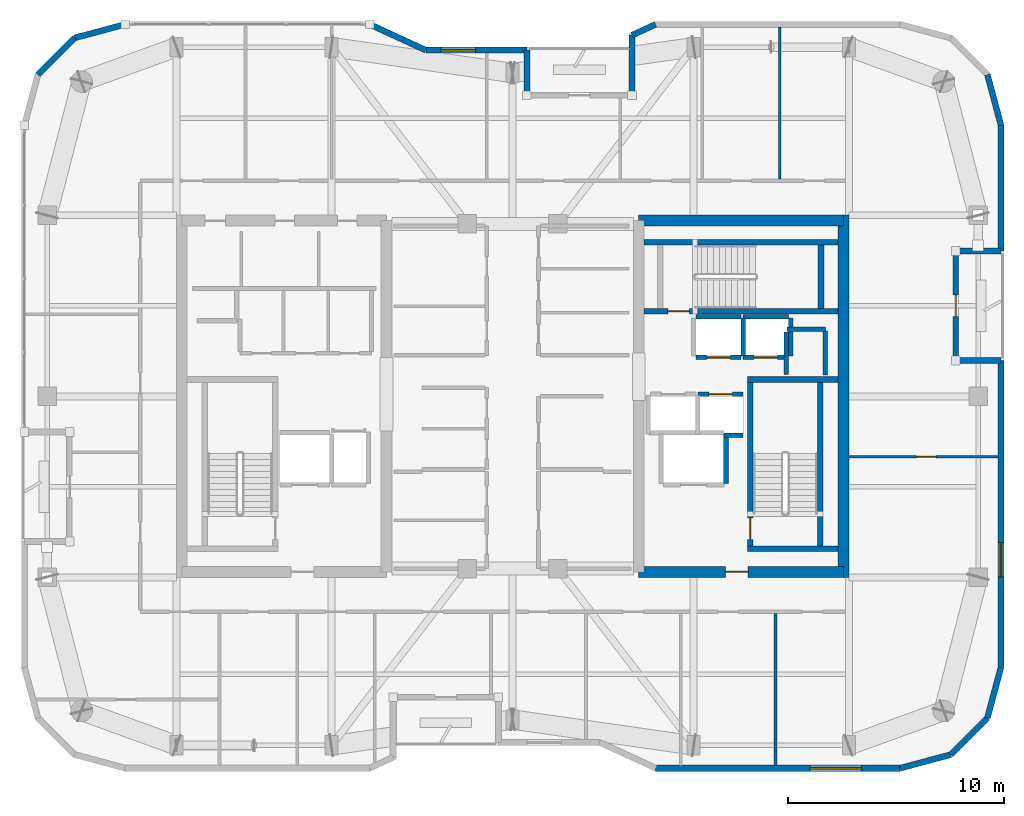
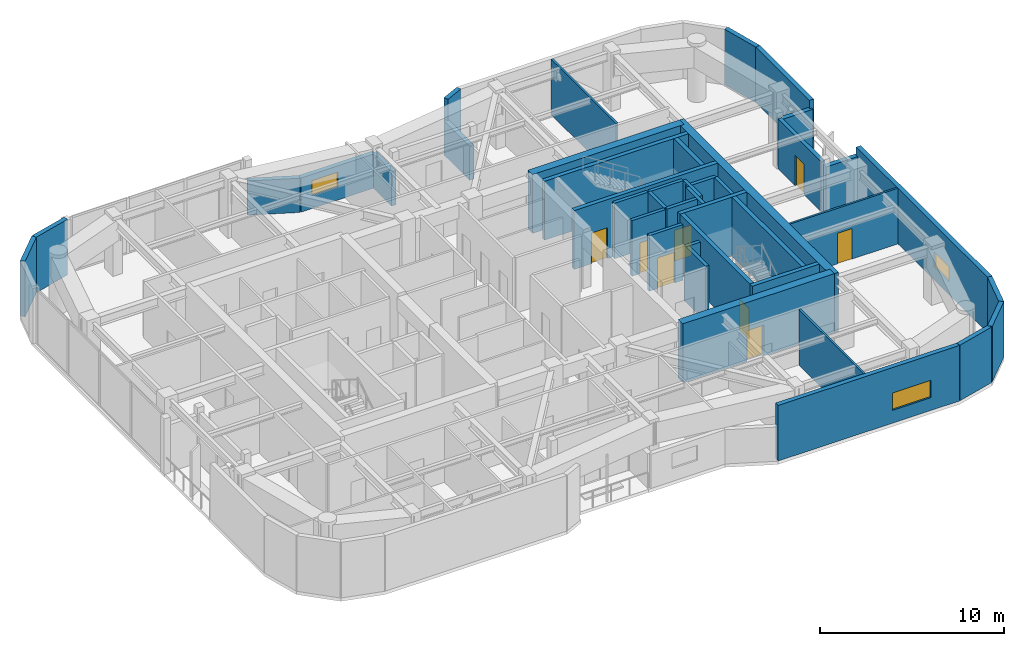
# One storey, part 13 of 16: 42 walls, 8 doors, 3 windows, 11 openings.
"""IFC4 building model written with IfcOpenShell, lengths in metres."""

from ifc_helpers import new_model, si_unit, direction, frame, frame_2d, origin, place, context, subcontext, project, spatial, rectangle, extrude, material, layer, layer_set, type_object, element, fill, save


model = new_model("IFC4")

# Units and contexts
model_context = context("Model", 3, precision=1e-05, world=origin(), true_north=direction((0.0, 1.0)))
body_context = subcontext(model_context, "Body", "Model", "MODEL_VIEW")
ifc_project = project(units=[si_unit("LENGTHUNIT", "METRE"), si_unit("AREAUNIT", "SQUARE_METRE"), si_unit("VOLUMEUNIT", "CUBIC_METRE"), si_unit("PLANEANGLEUNIT", "RADIAN"), si_unit("MASSUNIT", "GRAM", prefix="KILO")], contexts=[model_context])

# Site, building, storey
site_placement = place(None, origin())
site = spatial("IfcSite", under=ifc_project, at=site_placement, CompositionType="ELEMENT")
building_placement = place(site_placement, origin())
building = spatial("IfcBuilding", under=site, at=building_placement, Name="Kiyonajd Concourse Tower", CompositionType="ELEMENT")
storey_placement = place(building_placement, frame((0.0, 0.0, 302.39990234375)))
storey = spatial("IfcBuildingStorey", under=building, at=storey_placement, Name="L76", CompositionType="ELEMENT", Elevation=302.39990234375)

# Wall
ifc_material_1 = material(Name="Concrete C60/75", Category="concrete")
ifc_layer_1 = layer(ifc_material_1, 0.5)
ifc_layer_set_1 = layer_set([ifc_layer_1], Name="Concrete C60/75")
wall_type_1 = type_object("IfcWallType", Name="WL-CORE-500", PredefinedType="SHEAR", material=ifc_layer_set_1)
wall_1_placement = place(storey_placement, frame((63.35009765625, 27.60009765625, 0.0), z_axis=(0.0, 0.0, 1.0), x_axis=(0.0, 1.0, 0.0)))
element("IfcWall", 1, at=wall_1_placement, inside=storey, type_object=wall_type_1, Name="L76 East Core Outer Shear Wall", PredefinedType="SHEAR", context=body_context, shape_type="SweptSolid", body=[
    extrude(rectangle(XDim=16.7998046875, YDim=0.5, at=frame_2d((8.39990234375, 0.0))), origin(), (0.0, 0.0, 1.0), 3.900146484375),
])

# Wall, opening, door
wall_2_placement = place(storey_placement, frame((53.85009765625, 27.85009765625, 0.0), z_axis=(0.0, 0.0, 1.0), x_axis=(1.0, 0.0, 0.0)))
wall_2 = element("IfcWall", 2, at=wall_2_placement, inside=storey, type_object=wall_type_1, Name="L76 East Core South Shear Wall", PredefinedType="SHEAR", context=body_context, shape_type="SweptSolid", body=[
    extrude(rectangle(XDim=9.5, YDim=0.5, at=frame_2d((4.75, 0.0))), origin(), (0.0, 0.0, 1.0), 3.900146484375),
])
opening_1_placement = place(wall_2_placement, frame((4.02490234375, 0.0, 0.0)))
opening_1 = element("IfcOpeningElement", 3, at=opening_1_placement, cuts=wall_2, Name="Opening DF5", PredefinedType="OPENING", context=body_context, shape_type="SweptSolid", body=[
    extrude(rectangle(XDim=1.050048828125, YDim=2.0400390625, at=frame_2d((0.52490234375, 1.02001953125))), frame((0.0, 0.260009765625, 0.0), z_axis=(0.0, -1.0, 0.0), x_axis=(1.0, 0.0, 0.0)), (0.0, 0.0, 1.0), 0.52001953125),
])
ifc_material_2 = material(Name="Brushed Stainless Steel Cab Assembly", Category="steel")
door_type_1 = type_object("IfcDoorType", Name="DR-FD45-1050", OperationType="NOTDEFINED", PredefinedType="DOOR", material=ifc_material_2)
door_1_placement = place(opening_1_placement, origin())
door_1 = element("IfcDoor", 4, at=door_1_placement, inside=storey, type_object=door_type_1, Name="L76 Firefighting Lift Lobby E Smoke Door", OperationType="SINGLE_SWING_RIGHT", OverallHeight=2.0400390625, OverallWidth=1.050048828125, PredefinedType="DOOR", context=body_context, shape_type="SweptSolid", body=[
    extrude(rectangle(XDim=1.050048828125, YDim=2.0400390625, at=frame_2d((0.52490234375, 1.02001953125))), frame((0.0, 0.02490234375, 0.0), z_axis=(0.0, -1.0, 0.0), x_axis=(1.0, 0.0, 0.0)), (0.0, 0.0, 1.0), 0.050048828125),
])
fill(opening_1, door_1)

# Walls
wall_3_placement = place(storey_placement, frame((53.85009765625, 44.14990234375, 0.0), z_axis=(0.0, 0.0, 1.0), x_axis=(1.0, 0.0, 0.0)))
element("IfcWall", 5, at=wall_3_placement, inside=storey, type_object=wall_type_1, Name="L76 East Core North Shear Wall", PredefinedType="SHEAR", context=body_context, shape_type="SweptSolid", body=[
    extrude(rectangle(XDim=9.5, YDim=0.5, at=frame_2d((4.75, 0.0))), origin(), (0.0, 0.0, 1.0), 3.900146484375),
])
ifc_material_3 = material(Name="Precast concrete C50/60", Category="concrete")
ifc_layer_2 = layer(ifc_material_3, 0.280029296875)
ifc_layer_set_2 = layer_set([ifc_layer_2], Name="Precast concrete C50/60")
wall_type_2 = type_object("IfcWallType", Name="WL-EXT-280", PredefinedType="SOLIDWALL", material=ifc_layer_set_2)
wall_4_placement = place(storey_placement, frame((25.968505859375, 50.927490234375, 0.0), z_axis=(0.0, 0.0, 1.0), x_axis=(0.707106781187, 0.707106781187, 0.0)))
element("IfcWall", 6, at=wall_4_placement, inside=storey, type_object=wall_type_2, Name="L76 Exterior Concrete Frame Wall 07", PredefinedType="SOLIDWALL", context=body_context, shape_type="SweptSolid", body=[
    extrude(rectangle(XDim=2.409912109375, YDim=0.280029296875, at=frame_2d((1.205078125, 0.0))), origin(), (0.0, 0.0, 1.0), 3.68017578125),
])
wall_5_placement = place(storey_placement, frame((27.672607421875, 52.631591796875, 0.0), z_axis=(0.0, 0.0, 1.0), x_axis=(0.965937282298, 0.25877628691, 0.0)))
element("IfcWall", 7, at=wall_5_placement, inside=storey, type_object=wall_type_2, Name="L76 Exterior Concrete Frame Wall 08", PredefinedType="SOLIDWALL", context=body_context, shape_type="SweptSolid", body=[
    extrude(rectangle(XDim=2.428466796875, YDim=0.280029296875, at=frame_2d((1.21435546875, 0.0))), origin(), (0.0, 0.0, 1.0), 3.68017578125),
])
wall_6_placement = place(storey_placement, frame((41.369384765625, 53.260009765625, 0.0), z_axis=(0.0, 0.0, 1.0), x_axis=(0.907956889006, -0.419063584324, 0.0)))
element("IfcWall", 8, at=wall_6_placement, inside=storey, type_object=wall_type_2, Name="L76 Exterior Concrete Frame Wall 10", PredefinedType="SOLIDWALL", context=body_context, shape_type="SweptSolid", body=[
    extrude(rectangle(XDim=2.863525390625, YDim=0.280029296875, at=frame_2d((1.431640625, 0.0))), origin(), (0.0, 0.0, 1.0), 2.26513671875),
])

# Wall, opening, window
wall_7_placement = place(storey_placement, frame((43.96923828125, 52.06005859375, 0.0), z_axis=(0.0, 0.0, 1.0), x_axis=(1.0, 0.0, 0.0)))
wall_7 = element("IfcWall", 9, at=wall_7_placement, inside=storey, type_object=wall_type_2, Name="L76 Exterior Concrete Frame Wall 11", PredefinedType="SOLIDWALL", context=body_context, shape_type="SweptSolid", body=[
    extrude(rectangle(XDim=4.690673828125, YDim=0.280029296875, at=frame_2d((2.34521484375, 0.0))), origin(), (0.0, 0.0, 1.0), 2.26513671875),
])
opening_2_placement = place(wall_7_placement, frame((0.7099609375, 0.0, 0.85009765625)))
opening_2 = element("IfcOpeningElement", 10, at=opening_2_placement, cuts=wall_7, Name="Opening WN6", PredefinedType="OPENING", context=body_context, shape_type="SweptSolid", body=[
    extrude(rectangle(XDim=1.60009765625, YDim=1.0, at=frame_2d((0.800048828125, 0.5))), frame((0.0, 0.14990234375, 0.0), z_axis=(0.0, -1.0, 0.0), x_axis=(1.0, 0.0, 0.0)), (0.0, 0.0, 1.0), 0.300048828125),
])
ifc_material_4 = material(Name="Double Low-E Insulated Glass", Category="glass")
window_type_1 = type_object("IfcWindowType", Name="WN-VIS-1600x1000", PartitioningType="SINGLE_PANEL", PredefinedType="WINDOW", material=ifc_material_4)
window_1_placement = place(opening_2_placement, origin())
window_1 = element("IfcWindow", 11, at=window_1_placement, inside=storey, type_object=window_type_1, Name="L76 Modular Facade Vision Window 11", OverallHeight=1.0, OverallWidth=1.60009765625, PartitioningType="SINGLE_PANEL", PredefinedType="WINDOW", context=body_context, shape_type="SweptSolid", body=[
    extrude(rectangle(XDim=1.60009765625, YDim=1.0, at=frame_2d((0.800048828125, 0.5))), frame((0.0, 0.030029296875, 0.0), z_axis=(0.0, -1.0, 0.0), x_axis=(1.0, 0.0, 0.0)), (0.0, 0.0, 1.0), 0.06005859375),
])
fill(opening_2, window_1)

# Walls
wall_8_placement = place(storey_placement, frame((48.659912109375, 52.06005859375, 0.0), z_axis=(0.0, 0.0, 1.0), x_axis=(0.0, -1.0, 0.0)))
element("IfcWall", 12, at=wall_8_placement, inside=storey, type_object=wall_type_2, Name="L76 Exterior Concrete Frame Wall 12", PredefinedType="SOLIDWALL", context=body_context, shape_type="SweptSolid", body=[
    extrude(rectangle(XDim=2.10009765625, YDim=0.280029296875, at=frame_2d((1.050048828125, 0.0))), origin(), (0.0, 0.0, 1.0), 2.26513671875),
])
wall_9_placement = place(storey_placement, frame((53.5400390625, 49.9599609375, 0.0), z_axis=(0.0, 0.0, 1.0), x_axis=(0.0, 1.0, 0.0)))
element("IfcWall", 13, at=wall_9_placement, inside=storey, type_object=wall_type_2, Name="L76 Exterior Concrete Frame Wall 14", PredefinedType="SOLIDWALL", context=body_context, shape_type="SweptSolid", body=[
    extrude(rectangle(XDim=2.79638671875, YDim=0.280029296875, at=frame_2d((1.398193359375, 0.0))), origin(), (0.0, 0.0, 1.0), 2.26513671875),
])
wall_10_placement = place(storey_placement, frame((53.5400390625, 52.75634765625, 0.0), z_axis=(0.0, 0.0, 1.0), x_axis=(0.907893953211, 0.419199916176, 0.0)))
element("IfcWall", 14, at=wall_10_placement, inside=storey, type_object=wall_type_2, Name="L76 Exterior Concrete Frame Wall 15", PredefinedType="SOLIDWALL", context=body_context, shape_type="SweptSolid", body=[
    extrude(rectangle(XDim=1.201416015625, YDim=0.280029296875, at=frame_2d((0.6005859375, 0.0))), origin(), (0.0, 0.0, 1.0), 3.68017578125),
])
wall_11_placement = place(storey_placement, frame((70.031494140625, 50.927490234375, 0.0), z_axis=(0.0, 0.0, 1.0), x_axis=(0.258751159445, -0.965944013639, 0.0)))
element("IfcWall", 15, at=wall_11_placement, inside=storey, type_object=wall_type_2, Name="L76 Exterior Concrete Frame Wall 19", PredefinedType="SOLIDWALL", context=body_context, shape_type="SweptSolid", body=[
    extrude(rectangle(XDim=2.4287109375, YDim=0.280029296875, at=frame_2d((1.21435546875, 0.0))), origin(), (0.0, 0.0, 1.0), 3.68017578125),
])
wall_12_placement = place(storey_placement, frame((70.659912109375, 48.58154296875, 0.0), z_axis=(0.0, 0.0, 1.0), x_axis=(0.0, -1.0, 0.0)))
element("IfcWall", 16, at=wall_12_placement, inside=storey, type_object=wall_type_2, Name="L76 Exterior Concrete Frame Wall 20", PredefinedType="SOLIDWALL", context=body_context, shape_type="SweptSolid", body=[
    extrude(rectangle(XDim=5.841552734375, YDim=0.280029296875, at=frame_2d((2.9208984375, 0.0))), origin(), (0.0, 0.0, 1.0), 3.68017578125),
])
for number, where, z_axis, x_axis, name in (
    (17, (70.659912109375, 42.739990234375, 0.0), (0.0, 0.0, 1.0), (-1.0, 0.0, 0.0), "L76 Exterior Concrete Frame Wall 21"),
    (18, (68.56005859375, 37.659912109375, 0.0), (0.0, 0.0, 1.0), (1.0, 0.0, 0.0), "L76 Exterior Concrete Frame Wall 23"),
):
    element("IfcWall", number, at=place(storey_placement, frame(where, z_axis=z_axis, x_axis=x_axis)), inside=storey, type_object=wall_type_2, Name=name, PredefinedType="SOLIDWALL", context=body_context, shape_type="SweptSolid", body=[
        extrude(rectangle(XDim=2.099853515625, YDim=0.280029296875, at=frame_2d((1.0498046875, 0.0))), origin(), (0.0, 0.0, 1.0), 3.1259765625),
    ])

# Wall, opening, window
wall_13_placement = place(storey_placement, frame((70.659912109375, 37.659912109375, 0.0), z_axis=(0.0, 0.0, 1.0), x_axis=(0.0, -1.0, 0.0)))
wall_13 = element("IfcWall", 19, at=wall_13_placement, inside=storey, type_object=wall_type_2, Name="L76 Exterior Concrete Frame Wall 24", PredefinedType="SOLIDWALL", context=body_context, shape_type="SweptSolid", body=[
    extrude(rectangle(XDim=14.241455078125, YDim=0.280029296875, at=frame_2d((7.12060546875, 0.0))), origin(), (0.0, 0.0, 1.0), 3.68017578125),
])
opening_3_placement = place(wall_13_placement, frame((8.4560546875, 0.0, 0.85009765625)))
opening_3 = element("IfcOpeningElement", 20, at=opening_3_placement, cuts=wall_13, Name="Opening WN6", PredefinedType="OPENING", context=body_context, shape_type="SweptSolid", body=[
    extrude(rectangle(XDim=1.60009765625, YDim=1.0, at=frame_2d((0.800048828125, 0.5))), frame((0.0, 0.14990234375, 0.0), z_axis=(0.0, -1.0, 0.0), x_axis=(1.0, 0.0, 0.0)), (0.0, 0.0, 1.0), 0.300048828125),
])
window_2_placement = place(opening_3_placement, origin())
window_2 = element("IfcWindow", 21, at=window_2_placement, inside=storey, type_object=window_type_1, Name="L76 Modular Facade Vision Window 24", OverallHeight=1.0, OverallWidth=1.60009765625, PartitioningType="SINGLE_PANEL", PredefinedType="WINDOW", context=body_context, shape_type="SweptSolid", body=[
    extrude(rectangle(XDim=1.60009765625, YDim=1.0, at=frame_2d((0.800048828125, 0.5))), frame((0.0, 0.030029296875, 0.0), z_axis=(0.0, -1.0, 0.0), x_axis=(1.0, 0.0, 0.0)), (0.0, 0.0, 1.0), 0.06005859375),
])
fill(opening_3, window_2)

# Walls
wall_14_placement = place(storey_placement, frame((70.659912109375, 23.41845703125, 0.0), z_axis=(0.0, 0.0, 1.0), x_axis=(-0.258751159445, -0.965944013639, 0.0)))
element("IfcWall", 22, at=wall_14_placement, inside=storey, type_object=wall_type_2, Name="L76 Exterior Concrete Frame Wall 25", PredefinedType="SOLIDWALL", context=body_context, shape_type="SweptSolid", body=[
    extrude(rectangle(XDim=2.4287109375, YDim=0.280029296875, at=frame_2d((1.21435546875, 0.0))), origin(), (0.0, 0.0, 1.0), 3.68017578125),
])
wall_15_placement = place(storey_placement, frame((70.031494140625, 21.072509765625, 0.0), z_axis=(0.0, 0.0, 1.0), x_axis=(-0.707106781187, -0.707106781187, 0.0)))
element("IfcWall", 23, at=wall_15_placement, inside=storey, type_object=wall_type_2, Name="L76 Exterior Concrete Frame Wall 26", PredefinedType="SOLIDWALL", context=body_context, shape_type="SweptSolid", body=[
    extrude(rectangle(XDim=2.409912109375, YDim=0.280029296875, at=frame_2d((1.205078125, 0.0))), origin(), (0.0, 0.0, 1.0), 3.68017578125),
])
wall_16_placement = place(storey_placement, frame((68.327392578125, 19.368408203125, 0.0), z_axis=(0.0, 0.0, 1.0), x_axis=(-0.965937282298, -0.25877628691, 0.0)))
element("IfcWall", 24, at=wall_16_placement, inside=storey, type_object=wall_type_2, Name="L76 Exterior Concrete Frame Wall 27", PredefinedType="SOLIDWALL", context=body_context, shape_type="SweptSolid", body=[
    extrude(rectangle(XDim=2.428466796875, YDim=0.280029296875, at=frame_2d((1.21435546875, 0.0))), origin(), (0.0, 0.0, 1.0), 3.68017578125),
])

# Wall, opening, window
wall_17_placement = place(storey_placement, frame((65.981689453125, 18.739990234375, 0.0), z_axis=(0.0, 0.0, 1.0), x_axis=(-1.0, 0.0, 0.0)))
wall_17 = element("IfcWall", 25, at=wall_17_placement, inside=storey, type_object=wall_type_2, Name="L76 Exterior Concrete Frame Wall 28", PredefinedType="SOLIDWALL", context=body_context, shape_type="SweptSolid", body=[
    extrude(rectangle(XDim=11.35107421875, YDim=0.280029296875, at=frame_2d((5.675537109375, 0.0))), origin(), (0.0, 0.0, 1.0), 3.68017578125),
])
opening_4_placement = place(wall_17_placement, frame((1.785888671875, 0.0, 0.85009765625)))
opening_4 = element("IfcOpeningElement", 26, at=opening_4_placement, cuts=wall_17, Name="Opening WN4", PredefinedType="OPENING", context=body_context, shape_type="SweptSolid", body=[
    extrude(rectangle(XDim=2.39990234375, YDim=1.14990234375, at=frame_2d((1.199951171875, 0.574951171875))), frame((0.0, 0.14990234375, 0.0), z_axis=(0.0, -1.0, 0.0), x_axis=(1.0, 0.0, 0.0)), (0.0, 0.0, 1.0), 0.300048828125),
])
window_type_2 = type_object("IfcWindowType", Name="WN-VIS-2400x1150", PartitioningType="SINGLE_PANEL", PredefinedType="WINDOW", material=ifc_material_4)
window_3_placement = place(opening_4_placement, origin())
window_3 = element("IfcWindow", 27, at=window_3_placement, inside=storey, type_object=window_type_2, Name="L76 Modular Facade Vision Window 28", OverallHeight=1.14990234375, OverallWidth=2.39990234375, PartitioningType="SINGLE_PANEL", PredefinedType="WINDOW", context=body_context, shape_type="SweptSolid", body=[
    extrude(rectangle(XDim=2.39990234375, YDim=1.14990234375, at=frame_2d((1.199951171875, 0.574951171875))), frame((0.0, 0.030029296875, 0.0), z_axis=(0.0, -1.0, 0.0), x_axis=(1.0, 0.0, 0.0)), (0.0, 0.0, 1.0), 0.06005859375),
])
fill(opening_4, window_3)

# Wall, opening, door
ifc_layer_3 = layer(ifc_material_3, 0.239990234375)
ifc_layer_set_3 = layer_set([ifc_layer_3], Name="Precast concrete C50/60")
wall_type_3 = type_object("IfcWallType", Name="WL-LOG-240", PredefinedType="SOLIDWALL", material=ifc_layer_set_3)
wall_18_placement = place(storey_placement, frame((68.56005859375, 42.544921875, 0.0), z_axis=(0.0, 0.0, 1.0), x_axis=(0.0, -1.0, 0.0)))
wall_18 = element("IfcWall", 28, at=wall_18_placement, inside=storey, type_object=wall_type_3, Name="L76 Recessed Loggia Thermal Wall LOG-E", PredefinedType="SOLIDWALL", context=body_context, shape_type="SweptSolid", body=[
    extrude(rectangle(XDim=4.68994140625, YDim=0.239990234375, at=frame_2d((2.344970703125, 0.0))), origin(), (0.0, 0.0, 1.0), 3.31103515625),
])
opening_5_placement = place(wall_18_placement, frame((1.844970703125, 0.0, 0.0)))
opening_5 = element("IfcOpeningElement", 29, at=opening_5_placement, cuts=wall_18, Name="Opening DL1", PredefinedType="OPENING", context=body_context, shape_type="SweptSolid", body=[
    extrude(rectangle(XDim=1.0, YDim=2.02001953125, at=frame_2d((0.5, 1.010009765625))), frame((0.0, 0.1298828125, 0.0), z_axis=(0.0, -1.0, 0.0), x_axis=(1.0, 0.0, 0.0)), (0.0, 0.0, 1.0), 0.260009765625),
])
ifc_material_5 = material(Name="Thermally Broken Anodised Aluminium", Category="aluminium")
door_type_2 = type_object("IfcDoorType", Name="DR-LOG-1000", OperationType="NOTDEFINED", PredefinedType="DOOR", material=ifc_material_5)
door_2_placement = place(opening_5_placement, origin())
door_2 = element("IfcDoor", 30, at=door_2_placement, inside=storey, type_object=door_type_2, Name="L76 Engawa Loggia Access Door LOG-E", OperationType="SINGLE_SWING_LEFT", OverallHeight=2.02001953125, OverallWidth=1.0, PredefinedType="DOOR", context=body_context, shape_type="SweptSolid", body=[
    extrude(rectangle(XDim=1.0, YDim=2.02001953125, at=frame_2d((0.5, 1.010009765625))), frame((0.0, 0.02490234375, 0.0), z_axis=(0.0, -1.0, 0.0), x_axis=(1.0, 0.0, 0.0)), (0.0, 0.0, 1.0), 0.050048828125),
])
fill(opening_5, door_2)

# Walls
ifc_material_6 = material(Name="Gypsum Board on Cold-Formed Steel Stud", Category="steel")
ifc_layer_4 = layer(ifc_material_6, 0.125)
ifc_layer_set_4 = layer_set([ifc_layer_4], Name="Gypsum Board on Cold-Formed Steel Stud")
wall_type_4 = type_object("IfcWallType", Name="WL-PART-125", PredefinedType="PARTITIONING", material=ifc_layer_set_4)
for number, where, z_axis, x_axis, name in (
    (31, (60.199951171875, 18.875, 0.0), (0.0, 0.0, 1.0), (0.0, 1.0, 0.0), "L76 Interior Partition Wall"),
    (32, (60.39990234375, 46.0869140625, 0.0), (0.0, 0.0, 1.0), (0.0, 1.0, 0.0), "L76 Interior Partition Wall"),
):
    element("IfcWall", number, at=place(storey_placement, frame(where, z_axis=z_axis, x_axis=x_axis)), inside=storey, type_object=wall_type_4, Name=name, PredefinedType="PARTITIONING", context=body_context, shape_type="SweptSolid", body=[
        extrude(rectangle(XDim=7.0380859375, YDim=0.125, at=frame_2d((3.51904296875, 0.0))), origin(), (0.0, 0.0, 1.0), 3.68017578125),
    ])

# Wall, opening, door
wall_19_placement = place(storey_placement, frame((63.60009765625, 33.199951171875, 0.0), z_axis=(0.0, 0.0, 1.0), x_axis=(1.0, 0.0, 0.0)))
wall_19 = element("IfcWall", 33, at=wall_19_placement, inside=storey, type_object=wall_type_4, Name="L76 Interior Partition Wall", PredefinedType="PARTITIONING", context=body_context, shape_type="SweptSolid", body=[
    extrude(rectangle(XDim=6.9248046875, YDim=0.125, at=frame_2d((3.46240234375, 0.0))), origin(), (0.0, 0.0, 1.0), 3.68017578125),
])
opening_6_placement = place(wall_19_placement, frame((3.14990234375, 0.0, 0.0)))
opening_6 = element("IfcOpeningElement", 34, at=opening_6_placement, cuts=wall_19, Name="Opening DI2", PredefinedType="OPENING", context=body_context, shape_type="SweptSolid", body=[
    extrude(rectangle(XDim=0.89990234375, YDim=2.02001953125, at=frame_2d((0.449951171875, 1.010009765625))), frame((0.0, 0.072509765625, 0.0), z_axis=(0.0, -1.0, 0.0), x_axis=(1.0, 0.0, 0.0)), (0.0, 0.0, 1.0), 0.14501953125),
])
ifc_material_7 = material(Name="Natural Oak Acoustic Timber Veneer", Category="wood")
door_type_3 = type_object("IfcDoorType", Name="DR-INT-900", OperationType="NOTDEFINED", PredefinedType="DOOR", material=ifc_material_7)
door_3_placement = place(opening_6_placement, origin())
door_3 = element("IfcDoor", 35, at=door_3_placement, inside=storey, type_object=door_type_3, Name="L76 Interior Door", OperationType="SINGLE_SWING_RIGHT", OverallHeight=2.02001953125, OverallWidth=0.89990234375, PredefinedType="DOOR", context=body_context, shape_type="SweptSolid", body=[
    extrude(rectangle(XDim=0.89990234375, YDim=2.02001953125, at=frame_2d((0.449951171875, 1.010009765625))), frame((0.0, 0.02490234375, 0.0), z_axis=(0.0, -1.0, 0.0), x_axis=(1.0, 0.0, 0.0)), (0.0, 0.0, 1.0), 0.050048828125),
])
fill(opening_6, door_3)

# Walls
ifc_layer_5 = layer(ifc_material_6, 0.2099609375)
ifc_layer_set_5 = layer_set([ifc_layer_5], Name="Gypsum Board on Cold-Formed Steel Stud")
wall_type_5 = type_object("IfcWallType", Name="WL-SHAFT-210", PredefinedType="PARTITIONING", material=ifc_layer_set_5)
wall_20_placement = place(storey_placement, frame((60.719970703125, 39.10009765625, 0.0), z_axis=(0.0, 0.0, 1.0), x_axis=(1.0, 0.0, 0.0)))
element("IfcWall", 36, at=wall_20_placement, inside=storey, type_object=wall_type_5, Name="L76 Shaft Enclosure Wall", PredefinedType="PARTITIONING", context=body_context, shape_type="SweptSolid", body=[
    extrude(rectangle(XDim=1.800048828125, YDim=0.2099609375, at=frame_2d((0.89990234375, 0.0))), origin(), (0.0, 0.0, 1.0), 3.68017578125),
])
wall_21_placement = place(storey_placement, frame((60.699951171875, 37.02001953125, 0.0), z_axis=(0.0, 0.0, 1.0), x_axis=(0.0, 1.0, 0.0)))
element("IfcWall", 37, at=wall_21_placement, inside=storey, type_object=wall_type_5, Name="L76 Shaft Enclosure Wall", PredefinedType="PARTITIONING", context=body_context, shape_type="SweptSolid", body=[
    extrude(rectangle(XDim=1.9599609375, YDim=0.2099609375, at=frame_2d((0.97998046875, 0.0))), origin(), (0.0, 0.0, 1.0), 3.68017578125),
])
wall_22_placement = place(storey_placement, frame((62.5, 36.97998046875, 0.0), z_axis=(0.0, 0.0, 1.0), x_axis=(0.0, 1.0, 0.0)))
element("IfcWall", 38, at=wall_22_placement, inside=storey, type_object=wall_type_5, Name="L76 Shaft Enclosure Wall", PredefinedType="PARTITIONING", context=body_context, shape_type="SweptSolid", body=[
    extrude(rectangle(XDim=2.0400390625, YDim=0.2099609375, at=frame_2d((1.02001953125, 0.0))), origin(), (0.0, 0.0, 1.0), 3.68017578125),
])
wall_23_placement = place(storey_placement, frame((57.89990234375, 31.9599609375, 0.0), z_axis=(0.0, 0.0, 1.0), x_axis=(0.0, 1.0, 0.0)))
element("IfcWall", 39, at=wall_23_placement, inside=storey, type_object=wall_type_5, Name="L76 Shaft Enclosure Wall", PredefinedType="PARTITIONING", context=body_context, shape_type="SweptSolid", body=[
    extrude(rectangle(XDim=2.280029296875, YDim=0.2099609375, at=frame_2d((1.14013671875, 0.0))), origin(), (0.0, 0.0, 1.0), 3.68017578125),
])

# Wall, opening, door
wall_24_placement = place(storey_placement, frame((56.60009765625, 36.10009765625, 0.0), z_axis=(0.0, 0.0, 1.0), x_axis=(1.0, 0.0, 0.0)))
wall_24 = element("IfcWall", 40, at=wall_24_placement, inside=storey, type_object=wall_type_5, Name="L76 Shaft Enclosure Wall", PredefinedType="PARTITIONING", context=body_context, shape_type="SweptSolid", body=[
    extrude(rectangle(XDim=2.099853515625, YDim=0.2099609375, at=frame_2d((1.0498046875, 0.0))), origin(), (0.0, 0.0, 1.0), 3.68017578125),
])
opening_7_placement = place(wall_24_placement, frame((0.5, 0.0, 0.0)))
opening_7 = element("IfcOpeningElement", 41, at=opening_7_placement, cuts=wall_24, Name="Opening LD1", PredefinedType="OPENING", context=body_context, shape_type="SweptSolid", body=[
    extrude(rectangle(XDim=1.10009765625, YDim=2.0400390625, at=frame_2d((0.550048828125, 1.02001953125))), frame((0.0, 0.114990234375, 0.0), z_axis=(0.0, -1.0, 0.0), x_axis=(1.0, 0.0, 0.0)), (0.0, 0.0, 1.0), 0.22998046875),
])
door_type_4 = type_object("IfcDoorType", Name="DR-LD-1100", OperationType="DOUBLE_DOOR_SLIDING", PredefinedType="DOOR", material=ifc_material_2)
door_4_placement = place(opening_7_placement, origin())
door_4 = element("IfcDoor", 42, at=door_4_placement, inside=storey, type_object=door_type_4, Name="L76 Lift PL-H2 Sliding Landing Door", OperationType="DOUBLE_DOOR_SLIDING", OverallHeight=2.0400390625, OverallWidth=1.10009765625, PredefinedType="DOOR", context=body_context, shape_type="SweptSolid", body=[
    extrude(rectangle(XDim=1.10009765625, YDim=2.0400390625, at=frame_2d((0.550048828125, 1.02001953125))), frame((0.0, 0.02490234375, 0.0), z_axis=(0.0, -1.0, 0.0), x_axis=(1.0, 0.0, 0.0)), (0.0, 0.0, 1.0), 0.050048828125),
])
fill(opening_7, door_4)

# Wall
wall_25_placement = place(storey_placement, frame((57.800048828125, 34.199951171875, 0.0), z_axis=(0.0, 0.0, 1.0), x_axis=(1.0, 0.0, 0.0)))
element("IfcWall", 43, at=wall_25_placement, inside=storey, type_object=wall_type_5, Name="L76 Shaft Enclosure Wall", PredefinedType="PARTITIONING", context=body_context, shape_type="SweptSolid", body=[
    extrude(rectangle(XDim=0.89990234375, YDim=0.2099609375, at=frame_2d((0.449951171875, 0.0))), origin(), (0.0, 0.0, 1.0), 3.68017578125),
])

# Wall, opening, door
wall_26_placement = place(storey_placement, frame((56.5, 37.800048828125, 0.0), z_axis=(0.0, 0.0, 1.0), x_axis=(1.0, 0.0, 0.0)))
wall_26 = element("IfcWall", 44, at=wall_26_placement, inside=storey, type_object=wall_type_5, Name="L76 Shaft Enclosure Wall", PredefinedType="PARTITIONING", context=body_context, shape_type="SweptSolid", body=[
    extrude(rectangle(XDim=2.10009765625, YDim=0.2099609375, at=frame_2d((1.050048828125, 0.0))), origin(), (0.0, 0.0, 1.0), 3.68017578125),
])
opening_8_placement = place(wall_26_placement, frame((0.5, 0.0, 0.0)))
opening_8 = element("IfcOpeningElement", 45, at=opening_8_placement, cuts=wall_26, Name="Opening LD1", PredefinedType="OPENING", context=body_context, shape_type="SweptSolid", body=[
    extrude(rectangle(XDim=1.10009765625, YDim=2.0400390625, at=frame_2d((0.550048828125, 1.02001953125))), frame((0.0, 0.114990234375, 0.0), z_axis=(0.0, -1.0, 0.0), x_axis=(1.0, 0.0, 0.0)), (0.0, 0.0, 1.0), 0.22998046875),
])
door_5_placement = place(opening_8_placement, origin())
door_5 = element("IfcDoor", 46, at=door_5_placement, inside=storey, type_object=door_type_4, Name="L76 Lift PL-H3 Sliding Landing Door", OperationType="DOUBLE_DOOR_SLIDING", OverallHeight=2.0400390625, OverallWidth=1.10009765625, PredefinedType="DOOR", context=body_context, shape_type="SweptSolid", body=[
    extrude(rectangle(XDim=1.10009765625, YDim=2.0400390625, at=frame_2d((0.550048828125, 1.02001953125))), frame((0.0, 0.02490234375, 0.0), z_axis=(0.0, -1.0, 0.0), x_axis=(1.0, 0.0, 0.0)), (0.0, 0.0, 1.0), 0.050048828125),
])
fill(opening_8, door_5)

# Walls
wall_27_placement = place(storey_placement, frame((56.5, 39.699951171875, 0.0), z_axis=(0.0, 0.0, 1.0), x_axis=(1.0, 0.0, 0.0)))
element("IfcWall", 47, at=wall_27_placement, inside=storey, type_object=wall_type_5, Name="L76 Shaft Enclosure Wall", PredefinedType="PARTITIONING", context=body_context, shape_type="SweptSolid", body=[
    extrude(rectangle(XDim=2.10009765625, YDim=0.2099609375, at=frame_2d((1.050048828125, 0.0))), origin(), (0.0, 0.0, 1.0), 3.68017578125),
])
wall_28_placement = place(storey_placement, frame((58.699951171875, 37.860107421875, 0.0), z_axis=(0.0, 0.0, 1.0), x_axis=(0.0, 1.0, 0.0)))
element("IfcWall", 48, at=wall_28_placement, inside=storey, type_object=wall_type_5, Name="L76 Shaft Enclosure Wall", PredefinedType="PARTITIONING", context=body_context, shape_type="SweptSolid", body=[
    extrude(rectangle(XDim=1.77978515625, YDim=0.2099609375, at=frame_2d((0.889892578125, 0.0))), origin(), (0.0, 0.0, 1.0), 3.68017578125),
])

# Wall, opening, door
wall_29_placement = place(storey_placement, frame((58.699951171875, 37.800048828125, 0.0), z_axis=(0.0, 0.0, 1.0), x_axis=(1.0, 0.0, 0.0)))
wall_29 = element("IfcWall", 49, at=wall_29_placement, inside=storey, type_object=wall_type_5, Name="L76 Shaft Enclosure Wall", PredefinedType="PARTITIONING", context=body_context, shape_type="SweptSolid", body=[
    extrude(rectangle(XDim=2.10009765625, YDim=0.2099609375, at=frame_2d((1.050048828125, 0.0))), origin(), (0.0, 0.0, 1.0), 3.68017578125),
])
opening_9_placement = place(wall_29_placement, frame((0.5, 0.0, 0.0)))
opening_9 = element("IfcOpeningElement", 50, at=opening_9_placement, cuts=wall_29, Name="Opening LD1", PredefinedType="OPENING", context=body_context, shape_type="SweptSolid", body=[
    extrude(rectangle(XDim=1.10009765625, YDim=2.0400390625, at=frame_2d((0.550048828125, 1.02001953125))), frame((0.0, 0.114990234375, 0.0), z_axis=(0.0, -1.0, 0.0), x_axis=(1.0, 0.0, 0.0)), (0.0, 0.0, 1.0), 0.22998046875),
])
door_6_placement = place(opening_9_placement, origin())
door_6 = element("IfcDoor", 51, at=door_6_placement, inside=storey, type_object=door_type_4, Name="L76 Lift PL-H4 Sliding Landing Door", OperationType="DOUBLE_DOOR_SLIDING", OverallHeight=2.0400390625, OverallWidth=1.10009765625, PredefinedType="DOOR", context=body_context, shape_type="SweptSolid", body=[
    extrude(rectangle(XDim=1.10009765625, YDim=2.0400390625, at=frame_2d((0.550048828125, 1.02001953125))), frame((0.0, 0.02490234375, 0.0), z_axis=(0.0, -1.0, 0.0), x_axis=(1.0, 0.0, 0.0)), (0.0, 0.0, 1.0), 0.050048828125),
])
fill(opening_9, door_6)

# Walls
wall_30_placement = place(storey_placement, frame((58.699951171875, 39.699951171875, 0.0), z_axis=(0.0, 0.0, 1.0), x_axis=(1.0, 0.0, 0.0)))
element("IfcWall", 52, at=wall_30_placement, inside=storey, type_object=wall_type_5, Name="L76 Shaft Enclosure Wall", PredefinedType="PARTITIONING", context=body_context, shape_type="SweptSolid", body=[
    extrude(rectangle(XDim=2.10009765625, YDim=0.2099609375, at=frame_2d((1.050048828125, 0.0))), origin(), (0.0, 0.0, 1.0), 3.68017578125),
])
wall_31_placement = place(storey_placement, frame((60.89990234375, 37.860107421875, 0.0), z_axis=(0.0, 0.0, 1.0), x_axis=(0.0, 1.0, 0.0)))
element("IfcWall", 53, at=wall_31_placement, inside=storey, type_object=wall_type_5, Name="L76 Shaft Enclosure Wall", PredefinedType="PARTITIONING", context=body_context, shape_type="SweptSolid", body=[
    extrude(rectangle(XDim=1.77978515625, YDim=0.2099609375, at=frame_2d((0.889892578125, 0.0))), origin(), (0.0, 0.0, 1.0), 3.68017578125),
])
ifc_material_8 = material(Name="Concrete C50/60", Category="concrete")
ifc_layer_6 = layer(ifc_material_8, 0.260009765625)
ifc_layer_set_6 = layer_set([ifc_layer_6], Name="Concrete C50/60")
wall_type_6 = type_object("IfcWallType", Name="WL-STAIR-260", PredefinedType="SHEAR", material=ifc_layer_set_6)
for number, where, z_axis, x_axis, name in (
    (54, (58.889892578125, 28.919921875, 0.0), (0.0, 0.0, 1.0), (1.0, 0.0, 0.0), "L76 Stair ST2 Structural South Wall"),
    (55, (58.889892578125, 36.780029296875, 0.0), (0.0, 0.0, 1.0), (1.0, 0.0, 0.0), "L76 Stair ST2 Structural North Wall"),
):
    element("IfcWall", number, at=place(storey_placement, frame(where, z_axis=z_axis, x_axis=x_axis)), inside=storey, type_object=wall_type_6, Name=name, PredefinedType="SHEAR", context=body_context, shape_type="SweptSolid", body=[
        extrude(rectangle(XDim=4.210205078125, YDim=0.260009765625, at=frame_2d((2.10498046875, 0.0))), origin(), (0.0, 0.0, 1.0), 3.900146484375),
    ])

# Wall, opening, door
wall_32_placement = place(storey_placement, frame((59.02001953125, 29.050048828125, 0.0), z_axis=(0.0, 0.0, 1.0), x_axis=(0.0, 1.0, 0.0)))
wall_32 = element("IfcWall", 56, at=wall_32_placement, inside=storey, type_object=wall_type_6, Name="L76 Stair ST2 Structural West Wall", PredefinedType="SHEAR", context=body_context, shape_type="SweptSolid", body=[
    extrude(rectangle(XDim=7.599853515625, YDim=0.260009765625, at=frame_2d((3.7998046875, 0.0))), origin(), (0.0, 0.0, 1.0), 3.900146484375),
])
opening_10_placement = place(wall_32_placement, frame((0.300048828125, 0.0, 0.0)))
opening_10 = element("IfcOpeningElement", 57, at=opening_10_placement, cuts=wall_32, Name="Opening DF1", PredefinedType="OPENING", context=body_context, shape_type="SweptSolid", body=[
    extrude(rectangle(XDim=1.0, YDim=2.0400390625, at=frame_2d((0.5, 1.02001953125))), frame((0.0, 0.139892578125, 0.0), z_axis=(0.0, -1.0, 0.0), x_axis=(1.0, 0.0, 0.0)), (0.0, 0.0, 1.0), 0.280029296875),
])
door_type_5 = type_object("IfcDoorType", Name="DR-FD90-1000", OperationType="NOTDEFINED", PredefinedType="DOOR", material=ifc_material_2)
door_7_placement = place(opening_10_placement, origin())
door_7 = element("IfcDoor", 58, at=door_7_placement, inside=storey, type_object=door_type_5, Name="L76 Stair ST2 FSAE Door", OperationType="SINGLE_SWING_RIGHT", OverallHeight=2.0400390625, OverallWidth=1.0, PredefinedType="DOOR", context=body_context, shape_type="SweptSolid", body=[
    extrude(rectangle(XDim=1.0, YDim=2.0400390625, at=frame_2d((0.5, 1.02001953125))), frame((0.0, 0.02490234375, 0.0), z_axis=(0.0, -1.0, 0.0), x_axis=(1.0, 0.0, 0.0)), (0.0, 0.0, 1.0), 0.050048828125),
])
fill(opening_10, door_7)

# Wall
wall_33_placement = place(storey_placement, frame((62.280029296875, 29.050048828125, 0.0), z_axis=(0.0, 0.0, 1.0), x_axis=(0.0, 1.0, 0.0)))
element("IfcWall", 59, at=wall_33_placement, inside=storey, type_object=wall_type_6, Name="L76 Stair ST2 Structural East Wall", PredefinedType="SHEAR", context=body_context, shape_type="SweptSolid", body=[
    extrude(rectangle(XDim=7.599853515625, YDim=0.260009765625, at=frame_2d((3.7998046875, 0.0))), origin(), (0.0, 0.0, 1.0), 3.900146484375),
])

# Wall, opening, door
wall_34_placement = place(storey_placement, frame((54.10009765625, 39.949951171875, 0.0), z_axis=(0.0, 0.0, 1.0), x_axis=(1.0, 0.0, 0.0)))
wall_34 = element("IfcWall", 60, at=wall_34_placement, inside=storey, type_object=wall_type_6, Name="L76 Stair ST3 Structural South Wall", PredefinedType="SHEAR", context=body_context, shape_type="SweptSolid", body=[
    extrude(rectangle(XDim=9.0, YDim=0.260009765625, at=frame_2d((4.5, 0.0))), origin(), (0.0, 0.0, 1.0), 3.900146484375),
])
opening_11_placement = place(wall_34_placement, frame((1.10009765625, 0.0, 0.0)))
opening_11 = element("IfcOpeningElement", 61, at=opening_11_placement, cuts=wall_34, Name="Opening DF1", PredefinedType="OPENING", context=body_context, shape_type="SweptSolid", body=[
    extrude(rectangle(XDim=1.0, YDim=2.0400390625, at=frame_2d((0.5, 1.02001953125))), frame((0.0, 0.139892578125, 0.0), z_axis=(0.0, -1.0, 0.0), x_axis=(1.0, 0.0, 0.0)), (0.0, 0.0, 1.0), 0.280029296875),
])
door_8_placement = place(opening_11_placement, origin())
door_8 = element("IfcDoor", 62, at=door_8_placement, inside=storey, type_object=door_type_5, Name="L76 Stair ST3 Enclosure Door", OperationType="SINGLE_SWING_LEFT", OverallHeight=2.0400390625, OverallWidth=1.0, PredefinedType="DOOR", context=body_context, shape_type="SweptSolid", body=[
    extrude(rectangle(XDim=1.0, YDim=2.0400390625, at=frame_2d((0.5, 1.02001953125))), frame((0.0, 0.02490234375, 0.0), z_axis=(0.0, -1.0, 0.0), x_axis=(1.0, 0.0, 0.0)), (0.0, 0.0, 1.0), 0.050048828125),
])
fill(opening_11, door_8)

# Walls
wall_35_placement = place(storey_placement, frame((54.10009765625, 43.14990234375, 0.0), z_axis=(0.0, 0.0, 1.0), x_axis=(1.0, 0.0, 0.0)))
element("IfcWall", 63, at=wall_35_placement, inside=storey, type_object=wall_type_6, Name="L76 Stair ST3 Structural North Wall", PredefinedType="SHEAR", context=body_context, shape_type="SweptSolid", body=[
    extrude(rectangle(XDim=9.0, YDim=0.260009765625, at=frame_2d((4.5, 0.0))), origin(), (0.0, 0.0, 1.0), 3.900146484375),
])
wall_36_placement = place(storey_placement, frame((62.31005859375, 40.080078125, 0.0), z_axis=(0.0, 0.0, 1.0), x_axis=(0.0, 1.0, 0.0)))
element("IfcWall", 64, at=wall_36_placement, inside=storey, type_object=wall_type_6, Name="L76 Stair ST3 Structural East Wall", PredefinedType="SHEAR", context=body_context, shape_type="SweptSolid", body=[
    extrude(rectangle(XDim=2.93994140625, YDim=0.260009765625, at=frame_2d((1.469970703125, 0.0))), origin(), (0.0, 0.0, 1.0), 3.900146484375),
])

save(model, "model.ifc")
